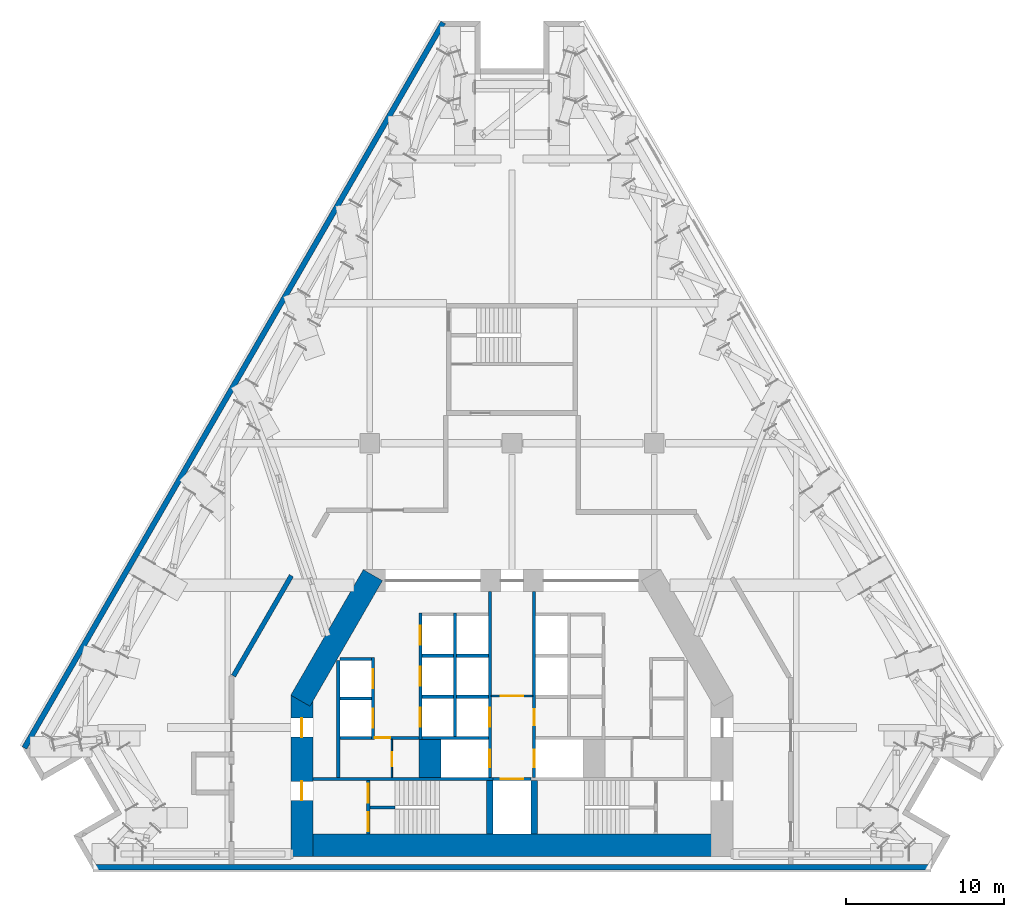
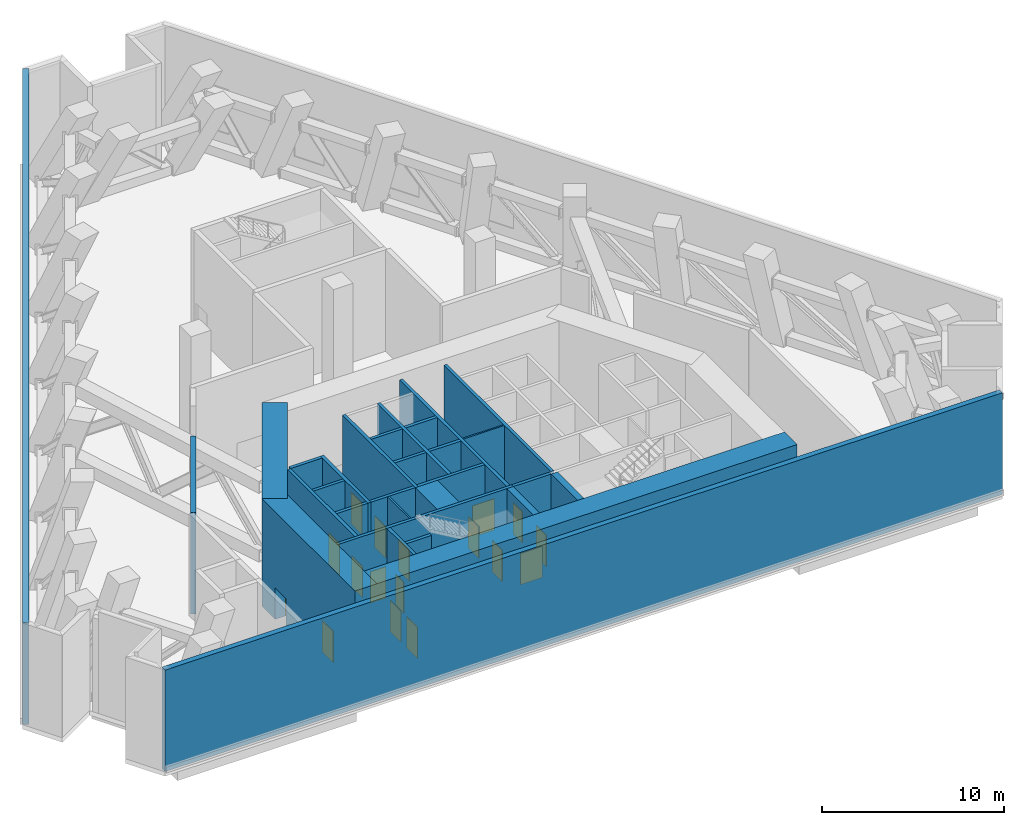
# One storey, part 6 of 12: 30 walls, 17 doors, 17 openings.
"""IFC4 building model written with IfcOpenShell, lengths in metres."""

from ifc_helpers import new_model, si_unit, direction, frame, frame_2d, origin, place, context, subcontext, project, spatial, rectangle, extrude, material, layer, layer_set, type_object, element, fill, save


model = new_model("IFC4")

# Units and contexts
model_context = context("Model", 3, precision=1e-05, world=origin(), true_north=direction((0.0, 1.0)))
body_context = subcontext(model_context, "Body", "Model", "MODEL_VIEW")
ifc_project = project(units=[si_unit("LENGTHUNIT", "METRE"), si_unit("AREAUNIT", "SQUARE_METRE"), si_unit("VOLUMEUNIT", "CUBIC_METRE"), si_unit("PLANEANGLEUNIT", "RADIAN"), si_unit("MASSUNIT", "GRAM", prefix="KILO")], contexts=[model_context])

# Site, building, storey
site_placement = place(None, origin())
site = spatial("IfcSite", under=ifc_project, at=site_placement, CompositionType="ELEMENT")
building_placement = place(site_placement, origin())
building = spatial("IfcBuilding", under=site, at=building_placement, Name="Fogline Exchange Tower", CompositionType="ELEMENT")
storey_placement = place(building_placement, frame((0.0, 0.0, 88.89990234375)))
storey = spatial("IfcBuildingStorey", under=building, at=storey_placement, Name="L19", CompositionType="ELEMENT", Elevation=88.89990234375)

# Wall, opening, door
ifc_material_1 = material(Name="Blockwork partition", Category="masonry")
ifc_layer_1 = layer(ifc_material_1, 0.10009765625)
ifc_layer_set_1 = layer_set([ifc_layer_1], Name="CW10")
wall_type_1 = type_object("IfcWallType", Name="CW10", PredefinedType="PARTITIONING", material=ifc_layer_set_1)
wall_1_placement = place(storey_placement, frame((-7.60009765625, 5.85009765625, 0.0), z_axis=(0.0, 0.0, 1.0), x_axis=(0.0, 1.0, 0.0)))
wall_1 = element("IfcWall", 1, at=wall_1_placement, inside=storey, type_object=wall_type_1, Name="WC partition", PredefinedType="PARTITIONING", context=body_context, shape_type="SweptSolid", body=[
    extrude(rectangle(XDim=2.39990234375, YDim=0.10009765625, at=frame_2d((1.199951171875, 0.0))), origin(), (0.0, 0.0, 1.0), 6.800048828125),
])
opening_1_placement = place(wall_1_placement, frame((0.699951171875, 0.0, 0.0)))
opening_1 = element("IfcOpeningElement", 2, at=opening_1_placement, cuts=wall_1, Name="Opening L19-C008", PredefinedType="OPENING", context=body_context, shape_type="SweptSolid", body=[
    extrude(rectangle(XDim=0.89990234375, YDim=2.10009765625, at=frame_2d((0.449951171875, 1.050048828125))), frame((0.0, 0.06005859375, 0.0), z_axis=(0.0, -1.0, 0.0), x_axis=(1.0, 0.0, 0.0)), (0.0, 0.0, 1.0), 0.1201171875),
])
ifc_material_2 = material(Name="Steel and timber fire door", Category="steel")
door_type_1 = type_object("IfcDoorType", Name="D-CS1", OperationType="SINGLE_SWING_RIGHT", PredefinedType="DOOR", material=ifc_material_2)
door_1_placement = place(opening_1_placement, frame((0.89990234375, 0.0, 0.0), z_axis=(0.0, 0.0, 1.0), x_axis=(-1.0, 0.0, 0.0)))
door_1 = element("IfcDoor", 3, at=door_1_placement, inside=storey, type_object=door_type_1, Name="Door to Plumbing Plant Room", OperationType="SINGLE_SWING_RIGHT", OverallHeight=2.10009765625, OverallWidth=0.89990234375, PredefinedType="DOOR", context=body_context, shape_type="SweptSolid", body=[
    extrude(rectangle(XDim=0.89990234375, YDim=2.10009765625, at=frame_2d((0.449951171875, 1.050048828125))), frame((0.0, 0.02490234375, 0.0), z_axis=(0.0, -1.0, 0.0), x_axis=(1.0, 0.0, 0.0)), (0.0, 0.0, 1.0), 0.050048828125),
])
fill(opening_1, door_1)

wall_2_placement = place(storey_placement, frame((-1.300048828125, 11.0, 0.0), z_axis=(0.0, 0.0, 1.0), x_axis=(1.0, 0.0, 0.0)))
wall_2 = element("IfcWall", 4, at=wall_2_placement, inside=storey, type_object=wall_type_1, Name="Lift lobby partition", PredefinedType="PARTITIONING", context=body_context, shape_type="SweptSolid", body=[
    extrude(rectangle(XDim=2.60009765625, YDim=0.10009765625, at=frame_2d((1.300048828125, 0.0))), origin(), (0.0, 0.0, 1.0), 6.800048828125),
])
opening_2_placement = place(wall_2_placement, frame((0.60009765625, 0.0, 0.0)))
opening_2 = element("IfcOpeningElement", 5, at=opening_2_placement, cuts=wall_2, Name="Opening L19-C017", PredefinedType="OPENING", context=body_context, shape_type="SweptSolid", body=[
    extrude(rectangle(XDim=1.39990234375, YDim=2.10009765625, at=frame_2d((0.699951171875, 1.050048828125))), frame((0.0, 0.06005859375, 0.0), z_axis=(0.0, -1.0, 0.0), x_axis=(1.0, 0.0, 0.0)), (0.0, 0.0, 1.0), 0.1201171875),
])
door_type_2 = type_object("IfcDoorType", Name="D-LB1", OperationType="DOUBLE_DOOR_SINGLE_SWING", PredefinedType="DOOR", material=ifc_material_2)
door_2_placement = place(opening_2_placement, frame((1.39990234375, 0.0, 0.0), z_axis=(0.0, 0.0, 1.0), x_axis=(-1.0, 0.0, 0.0)))
door_2 = element("IfcDoor", 6, at=door_2_placement, inside=storey, type_object=door_type_2, Name="Door to firefighting lift lobby", OperationType="DOUBLE_DOOR_SINGLE_SWING", OverallHeight=2.10009765625, OverallWidth=1.39990234375, PredefinedType="DOOR", context=body_context, shape_type="SweptSolid", body=[
    extrude(rectangle(XDim=1.39990234375, YDim=2.10009765625, at=frame_2d((0.699951171875, 1.050048828125))), frame((0.0, 0.02490234375, 0.0), z_axis=(0.0, -1.0, 0.0), x_axis=(1.0, 0.0, 0.0)), (0.0, 0.0, 1.0), 0.050048828125),
])
fill(opening_2, door_2)

# Walls
ifc_material_3 = material(Name="Concrete C60", Category="concrete")
ifc_layer_2 = layer(ifc_material_3, 1.39990234375)
ifc_layer_set_2 = layer_set([ifc_layer_2], Name="CW140")
wall_type_2 = type_object("IfcWallType", Name="CW140", PredefinedType="SOLIDWALL", material=ifc_layer_set_2)
wall_3_placement = place(storey_placement, frame((-5.199951171875, 5.85009765625, -0.2998046875), z_axis=(0.0, 0.0, 1.0), x_axis=(0.0, 1.0, 0.0)))
element("IfcWall", 7, at=wall_3_placement, inside=storey, type_object=wall_type_2, Name="Lift shaft block wall", PredefinedType="SOLIDWALL", context=body_context, shape_type="SweptSolid", body=[
    extrude(rectangle(XDim=2.39990234375, YDim=1.39990234375, at=frame_2d((1.199951171875, 0.0))), origin(), (0.0, 0.0, 1.0), 7.099853515625),
])
ifc_material_4 = material(Name="Concrete C40", Category="concrete")
ifc_layer_3 = layer(ifc_material_4, 0.199951171875)
ifc_layer_set_3 = layer_set([ifc_layer_3], Name="CW20")
wall_type_3 = type_object("IfcWallType", Name="CW20", PredefinedType="SOLIDWALL", material=ifc_layer_set_3)
wall_4_placement = place(storey_placement, frame((-11.0, 5.85009765625, 0.0), z_axis=(0.0, 0.0, 1.0), x_axis=(0.0, 1.0, 0.0)))
element("IfcWall", 8, at=wall_4_placement, inside=storey, type_object=wall_type_3, Name="Service room wall", PredefinedType="SOLIDWALL", context=body_context, shape_type="SweptSolid", body=[
    extrude(rectangle(XDim=7.39990234375, YDim=0.199951171875, at=frame_2d((3.699951171875, 0.0))), origin(), (0.0, 0.0, 1.0), 6.800048828125),
])

# Wall, opening, door
wall_5_placement = place(storey_placement, frame((-8.699951171875, 8.35009765625, 0.0), z_axis=(0.0, 0.0, 1.0), x_axis=(1.0, 0.0, 0.0)))
wall_5 = element("IfcWall", 9, at=wall_5_placement, inside=storey, type_object=wall_type_3, Name="WC wall", PredefinedType="SOLIDWALL", context=body_context, shape_type="SweptSolid", body=[
    extrude(rectangle(XDim=2.800048828125, YDim=0.199951171875, at=frame_2d((1.39990234375, 0.0))), origin(), (0.0, 0.0, 1.0), 6.800048828125),
])
opening_3_placement = place(wall_5_placement, origin())
opening_3 = element("IfcOpeningElement", 10, at=opening_3_placement, cuts=wall_5, Name="Opening L19-C007", PredefinedType="OPENING", context=body_context, shape_type="SweptSolid", body=[
    extrude(rectangle(XDim=1.0, YDim=2.10009765625, at=frame_2d((0.5, 1.050048828125))), frame((0.0, 0.10986328125, 0.0), z_axis=(0.0, -1.0, 0.0), x_axis=(1.0, 0.0, 0.0)), (0.0, 0.0, 1.0), 0.219970703125),
])
door_type_3 = type_object("IfcDoorType", Name="D-WC1", OperationType="SINGLE_SWING_LEFT", PredefinedType="DOOR", material=ifc_material_2)
door_3_placement = place(opening_3_placement, frame((1.0, 0.0, 0.0), z_axis=(0.0, 0.0, 1.0), x_axis=(-1.0, 0.0, 0.0)))
door_3 = element("IfcDoor", 11, at=door_3_placement, inside=storey, type_object=door_type_3, Name="Door to Men's WC", OperationType="SINGLE_SWING_LEFT", OverallHeight=2.10009765625, OverallWidth=1.0, PredefinedType="DOOR", context=body_context, shape_type="SweptSolid", body=[
    extrude(rectangle(XDim=1.0, YDim=2.10009765625, at=frame_2d((0.5, 1.050048828125))), frame((0.0, 0.02490234375, 0.0), z_axis=(0.0, -1.0, 0.0), x_axis=(1.0, 0.0, 0.0)), (0.0, 0.0, 1.0), 0.050048828125),
])
fill(opening_3, door_3)

# Walls
ifc_layer_4 = layer(ifc_material_4, 0.199951171875)
ifc_layer_set_4 = layer_set([ifc_layer_4], Name="CW20B")
wall_type_4 = type_object("IfcWallType", Name="CW20B", PredefinedType="SOLIDWALL", material=ifc_layer_set_4)
wall_6_placement = place(storey_placement, frame((-9.0, 3.949951171875, 0.0), z_axis=(0.0, 0.0, 1.0), x_axis=(1.0, 0.0, 0.0)))
element("IfcWall", 12, at=wall_6_placement, inside=storey, type_object=wall_type_4, Name="Stair separation wall", PredefinedType="SOLIDWALL", context=body_context, shape_type="SweptSolid", body=[
    extrude(rectangle(XDim=1.60009765625, YDim=0.199951171875, at=frame_2d((0.800048828125, 0.0))), origin(), (0.0, 0.0, 1.0), 6.800048828125),
])
ifc_layer_5 = layer(ifc_material_4, 0.199951171875)
ifc_layer_set_5 = layer_set([ifc_layer_5], Name="CW20R")
wall_type_5 = type_object("IfcWallType", Name="CW20R", PredefinedType="SOLIDWALL", material=ifc_layer_set_5)
wall_7_placement = place(storey_placement, frame((-12.60009765625, 5.75, -0.2998046875), z_axis=(0.0, 0.0, 1.0), x_axis=(1.0, 0.0, 0.0)))
element("IfcWall", 13, at=wall_7_placement, inside=storey, type_object=wall_type_5, Name="Stair enclosure wall", PredefinedType="SOLIDWALL", context=body_context, shape_type="SweptSolid", body=[
    extrude(rectangle(XDim=11.400146484375, YDim=0.199951171875, at=frame_2d((5.7001953125, 0.0))), origin(), (0.0, 0.0, 1.0), 7.099853515625),
])

# Wall, opening, door
wall_8_placement = place(storey_placement, frame((-1.199951171875, 5.75, -0.2998046875), z_axis=(0.0, 0.0, 1.0), x_axis=(1.0, 0.0, 0.0)))
wall_8 = element("IfcWall", 14, at=wall_8_placement, inside=storey, type_object=wall_type_5, Name="Stair enclosure wall", PredefinedType="SOLIDWALL", context=body_context, shape_type="SweptSolid", body=[
    extrude(rectangle(XDim=2.39990234375, YDim=0.199951171875, at=frame_2d((1.199951171875, 0.0))), origin(), (0.0, 0.0, 1.0), 7.099853515625),
])
opening_4_placement = place(wall_8_placement, frame((0.5, 0.0, 0.300048828125)))
opening_4 = element("IfcOpeningElement", 15, at=opening_4_placement, cuts=wall_8, Name="Opening L19-LD09", PredefinedType="OPENING", context=body_context, shape_type="SweptSolid", body=[
    extrude(rectangle(XDim=1.39990234375, YDim=2.10009765625, at=frame_2d((0.699951171875, 1.050048828125))), frame((0.0, 0.10986328125, 0.0), z_axis=(0.0, -1.0, 0.0), x_axis=(1.0, 0.0, 0.0)), (0.0, 0.0, 1.0), 0.219970703125),
])
door_type_4 = type_object("IfcDoorType", Name="LD3", OperationType="SLIDING_TO_LEFT", PredefinedType="DOOR", material=ifc_material_2)
door_4_placement = place(opening_4_placement, origin())
door_4 = element("IfcDoor", 16, at=door_4_placement, inside=storey, type_object=door_type_4, Name="Landing door GL1", OperationType="SLIDING_TO_LEFT", OverallHeight=2.10009765625, OverallWidth=1.39990234375, PredefinedType="DOOR", context=body_context, shape_type="SweptSolid", body=[
    extrude(rectangle(XDim=1.39990234375, YDim=2.10009765625, at=frame_2d((0.699951171875, 1.050048828125))), frame((0.0, 0.02490234375, 0.0), z_axis=(0.0, -1.0, 0.0), x_axis=(1.0, 0.0, 0.0)), (0.0, 0.0, 1.0), 0.050048828125),
])
fill(opening_4, door_4)

# Wall, openings, doors
wall_9_placement = place(storey_placement, frame((-9.10009765625, 2.25, -0.2998046875), z_axis=(0.0, 0.0, 1.0), x_axis=(0.0, 1.0, 0.0)))
wall_9 = element("IfcWall", 17, at=wall_9_placement, inside=storey, type_object=wall_type_5, Name="Stair enclosure wall", PredefinedType="SOLIDWALL", context=body_context, shape_type="SweptSolid", body=[
    extrude(rectangle(XDim=3.39990234375, YDim=0.199951171875, at=frame_2d((1.699951171875, 0.0))), origin(), (0.0, 0.0, 1.0), 7.099853515625),
])
opening_5_placement = place(wall_9_placement, frame((0.199951171875, 0.0, 0.300048828125)))
opening_5 = element("IfcOpeningElement", 18, at=opening_5_placement, cuts=wall_9, Name="Opening L19-C010", PredefinedType="OPENING", context=body_context, shape_type="SweptSolid", body=[
    extrude(rectangle(XDim=1.199951171875, YDim=2.10009765625, at=frame_2d((0.60009765625, 1.050048828125))), frame((0.0, 0.10986328125, 0.0), z_axis=(0.0, -1.0, 0.0), x_axis=(1.0, 0.0, 0.0)), (0.0, 0.0, 1.0), 0.219970703125),
])
opening_6_placement = place(wall_9_placement, frame((2.0, 0.0, 0.300048828125)))
opening_6 = element("IfcOpeningElement", 19, at=opening_6_placement, cuts=wall_9, Name="Opening L19-C021", PredefinedType="OPENING", context=body_context, shape_type="SweptSolid", body=[
    extrude(rectangle(XDim=1.199951171875, YDim=2.10009765625, at=frame_2d((0.60009765625, 1.050048828125))), frame((0.0, 0.10986328125, 0.0), z_axis=(0.0, -1.0, 0.0), x_axis=(1.0, 0.0, 0.0)), (0.0, 0.0, 1.0), 0.219970703125),
])
door_type_5 = type_object("IfcDoorType", Name="D-ST1", OperationType="SINGLE_SWING_LEFT", PredefinedType="DOOR", material=ifc_material_2)
door_5_placement = place(opening_5_placement, frame((1.199951171875, 0.0, 0.0), z_axis=(0.0, 0.0, 1.0), x_axis=(-1.0, 0.0, 0.0)))
door_5 = element("IfcDoor", 20, at=door_5_placement, inside=storey, type_object=door_type_5, Name="Stair door ST1", OperationType="SINGLE_SWING_RIGHT", OverallHeight=2.10009765625, OverallWidth=1.199951171875, PredefinedType="DOOR", context=body_context, shape_type="SweptSolid", body=[
    extrude(rectangle(XDim=1.199951171875, YDim=2.10009765625, at=frame_2d((0.60009765625, 1.050048828125))), frame((0.0, 0.02490234375, 0.0), z_axis=(0.0, -1.0, 0.0), x_axis=(1.0, 0.0, 0.0)), (0.0, 0.0, 1.0), 0.050048828125),
])
fill(opening_5, door_5)
door_6_placement = place(opening_6_placement, origin())
door_6 = element("IfcDoor", 21, at=door_6_placement, inside=storey, type_object=door_type_5, Name="Stair arrival door ST1", OperationType="SINGLE_SWING_RIGHT", OverallHeight=2.10009765625, OverallWidth=1.199951171875, PredefinedType="DOOR", context=body_context, shape_type="SweptSolid", body=[
    extrude(rectangle(XDim=1.199951171875, YDim=2.10009765625, at=frame_2d((0.60009765625, 1.050048828125))), frame((0.0, 0.02490234375, 0.0), z_axis=(0.0, -1.0, 0.0), x_axis=(1.0, 0.0, 0.0)), (0.0, 0.0, 1.0), 0.050048828125),
])
fill(opening_6, door_6)

ifc_layer_6 = layer(ifc_material_4, 0.199951171875)
ifc_layer_set_6 = layer_set([ifc_layer_6], Name="CW20S")
wall_type_6 = type_object("IfcWallType", Name="CW20S", PredefinedType="SOLIDWALL", material=ifc_layer_set_6)
wall_10_placement = place(storey_placement, frame((-8.800048828125, 8.25, -0.2998046875), z_axis=(0.0, 0.0, 1.0), x_axis=(0.0, 1.0, 0.0)))
wall_10 = element("IfcWall", 22, at=wall_10_placement, inside=storey, type_object=wall_type_6, Name="Lift shaft wall", PredefinedType="SOLIDWALL", context=body_context, shape_type="SweptSolid", body=[
    extrude(rectangle(XDim=5.199951171875, YDim=0.199951171875, at=frame_2d((2.60009765625, 0.0))), origin(), (0.0, 0.0, 1.0), 7.099853515625),
])
opening_7_placement = place(wall_10_placement, frame((0.75, 0.0, 0.300048828125)))
opening_7 = element("IfcOpeningElement", 23, at=opening_7_placement, cuts=wall_10, Name="Opening L19-LD01", PredefinedType="OPENING", context=body_context, shape_type="SweptSolid", body=[
    extrude(rectangle(XDim=1.199951171875, YDim=2.10009765625, at=frame_2d((0.60009765625, 1.050048828125))), frame((0.0, 0.10986328125, 0.0), z_axis=(0.0, -1.0, 0.0), x_axis=(1.0, 0.0, 0.0)), (0.0, 0.0, 1.0), 0.219970703125),
])
opening_8_placement = place(wall_10_placement, frame((3.25, 0.0, 0.300048828125)))
opening_8 = element("IfcOpeningElement", 24, at=opening_8_placement, cuts=wall_10, Name="Opening L19-LD02", PredefinedType="OPENING", context=body_context, shape_type="SweptSolid", body=[
    extrude(rectangle(XDim=1.199951171875, YDim=2.10009765625, at=frame_2d((0.60009765625, 1.050048828125))), frame((0.0, 0.10986328125, 0.0), z_axis=(0.0, -1.0, 0.0), x_axis=(1.0, 0.0, 0.0)), (0.0, 0.0, 1.0), 0.219970703125),
])
door_type_6 = type_object("IfcDoorType", Name="LD1", OperationType="SLIDING_TO_LEFT", PredefinedType="DOOR", material=ifc_material_2)
door_7_placement = place(opening_7_placement, origin())
door_7 = element("IfcDoor", 25, at=door_7_placement, inside=storey, type_object=door_type_6, Name="Landing door LR1", OperationType="SLIDING_TO_LEFT", OverallHeight=2.10009765625, OverallWidth=1.199951171875, PredefinedType="DOOR", context=body_context, shape_type="SweptSolid", body=[
    extrude(rectangle(XDim=1.199951171875, YDim=2.10009765625, at=frame_2d((0.60009765625, 1.050048828125))), frame((0.0, 0.02490234375, 0.0), z_axis=(0.0, -1.0, 0.0), x_axis=(1.0, 0.0, 0.0)), (0.0, 0.0, 1.0), 0.050048828125),
])
fill(opening_7, door_7)
door_8_placement = place(opening_8_placement, origin())
door_8 = element("IfcDoor", 26, at=door_8_placement, inside=storey, type_object=door_type_6, Name="Landing door LR2", OperationType="SLIDING_TO_LEFT", OverallHeight=2.10009765625, OverallWidth=1.199951171875, PredefinedType="DOOR", context=body_context, shape_type="SweptSolid", body=[
    extrude(rectangle(XDim=1.199951171875, YDim=2.10009765625, at=frame_2d((0.60009765625, 1.050048828125))), frame((0.0, 0.02490234375, 0.0), z_axis=(0.0, -1.0, 0.0), x_axis=(1.0, 0.0, 0.0)), (0.0, 0.0, 1.0), 0.050048828125),
])
fill(opening_8, door_8)

wall_11_placement = place(storey_placement, frame((-5.800048828125, 8.25, -0.2998046875), z_axis=(0.0, 0.0, 1.0), x_axis=(0.0, 1.0, 0.0)))
wall_11 = element("IfcWall", 27, at=wall_11_placement, inside=storey, type_object=wall_type_6, Name="Lift shaft wall", PredefinedType="SOLIDWALL", context=body_context, shape_type="SweptSolid", body=[
    extrude(rectangle(XDim=8.0, YDim=0.199951171875, at=frame_2d((4.0, 0.0))), origin(), (0.0, 0.0, 1.0), 7.099853515625),
])
opening_9_placement = place(wall_11_placement, frame((0.800048828125, 0.0, 0.300048828125)))
opening_9 = element("IfcOpeningElement", 28, at=opening_9_placement, cuts=wall_11, Name="Opening L19-LD03", PredefinedType="OPENING", context=body_context, shape_type="SweptSolid", body=[
    extrude(rectangle(XDim=1.199951171875, YDim=2.10009765625, at=frame_2d((0.60009765625, 1.050048828125))), frame((0.0, 0.10986328125, 0.0), z_axis=(0.0, -1.0, 0.0), x_axis=(1.0, 0.0, 0.0)), (0.0, 0.0, 1.0), 0.219970703125),
])
opening_10_placement = place(wall_11_placement, frame((3.39990234375, 0.0, 0.300048828125)))
opening_10 = element("IfcOpeningElement", 29, at=opening_10_placement, cuts=wall_11, Name="Opening L19-LD04", PredefinedType="OPENING", context=body_context, shape_type="SweptSolid", body=[
    extrude(rectangle(XDim=1.199951171875, YDim=2.10009765625, at=frame_2d((0.60009765625, 1.050048828125))), frame((0.0, 0.10986328125, 0.0), z_axis=(0.0, -1.0, 0.0), x_axis=(1.0, 0.0, 0.0)), (0.0, 0.0, 1.0), 0.219970703125),
])
opening_11_placement = place(wall_11_placement, frame((6.0, 0.0, 0.300048828125)))
opening_11 = element("IfcOpeningElement", 30, at=opening_11_placement, cuts=wall_11, Name="Opening L19-LD05", PredefinedType="OPENING", context=body_context, shape_type="SweptSolid", body=[
    extrude(rectangle(XDim=1.199951171875, YDim=2.10009765625, at=frame_2d((0.60009765625, 1.050048828125))), frame((0.0, 0.10986328125, 0.0), z_axis=(0.0, -1.0, 0.0), x_axis=(1.0, 0.0, 0.0)), (0.0, 0.0, 1.0), 0.219970703125),
])
door_9_placement = place(opening_9_placement, origin())
door_9 = element("IfcDoor", 31, at=door_9_placement, inside=storey, type_object=door_type_6, Name="Landing door LR3", OperationType="SLIDING_TO_LEFT", OverallHeight=2.10009765625, OverallWidth=1.199951171875, PredefinedType="DOOR", context=body_context, shape_type="SweptSolid", body=[
    extrude(rectangle(XDim=1.199951171875, YDim=2.10009765625, at=frame_2d((0.60009765625, 1.050048828125))), frame((0.0, 0.02490234375, 0.0), z_axis=(0.0, -1.0, 0.0), x_axis=(1.0, 0.0, 0.0)), (0.0, 0.0, 1.0), 0.050048828125),
])
fill(opening_9, door_9)
door_10_placement = place(opening_10_placement, origin())
door_10 = element("IfcDoor", 32, at=door_10_placement, inside=storey, type_object=door_type_6, Name="Landing door LR4", OperationType="SLIDING_TO_LEFT", OverallHeight=2.10009765625, OverallWidth=1.199951171875, PredefinedType="DOOR", context=body_context, shape_type="SweptSolid", body=[
    extrude(rectangle(XDim=1.199951171875, YDim=2.10009765625, at=frame_2d((0.60009765625, 1.050048828125))), frame((0.0, 0.02490234375, 0.0), z_axis=(0.0, -1.0, 0.0), x_axis=(1.0, 0.0, 0.0)), (0.0, 0.0, 1.0), 0.050048828125),
])
fill(opening_10, door_10)
door_11_placement = place(opening_11_placement, origin())
door_11 = element("IfcDoor", 33, at=door_11_placement, inside=storey, type_object=door_type_6, Name="Landing door LR5", OperationType="SLIDING_TO_LEFT", OverallHeight=2.10009765625, OverallWidth=1.199951171875, PredefinedType="DOOR", context=body_context, shape_type="SweptSolid", body=[
    extrude(rectangle(XDim=1.199951171875, YDim=2.10009765625, at=frame_2d((0.60009765625, 1.050048828125))), frame((0.0, 0.02490234375, 0.0), z_axis=(0.0, -1.0, 0.0), x_axis=(1.0, 0.0, 0.0)), (0.0, 0.0, 1.0), 0.050048828125),
])
fill(opening_11, door_11)

# Wall
wall_12_placement = place(storey_placement, frame((-3.60009765625, 8.449951171875, -0.2998046875), z_axis=(0.0, 0.0, 1.0), x_axis=(0.0, 1.0, 0.0)))
element("IfcWall", 34, at=wall_12_placement, inside=storey, type_object=wall_type_6, Name="Lift shaft wall", PredefinedType="SOLIDWALL", context=body_context, shape_type="SweptSolid", body=[
    extrude(rectangle(XDim=7.800048828125, YDim=0.199951171875, at=frame_2d((3.89990234375, 0.0))), origin(), (0.0, 0.0, 1.0), 7.099853515625),
])

# Wall, openings, doors
wall_13_placement = place(storey_placement, frame((-1.39990234375, 5.85009765625, -0.2998046875), z_axis=(0.0, 0.0, 1.0), x_axis=(0.0, 1.0, 0.0)))
wall_13 = element("IfcWall", 35, at=wall_13_placement, inside=storey, type_object=wall_type_6, Name="Lift lobby wall", PredefinedType="SOLIDWALL", context=body_context, shape_type="SweptSolid", body=[
    extrude(rectangle(XDim=11.75, YDim=0.199951171875, at=frame_2d((5.875, 0.0))), origin(), (0.0, 0.0, 1.0), 7.099853515625),
])
opening_12_placement = place(wall_13_placement, frame((3.199951171875, 0.0, 0.300048828125)))
opening_12 = element("IfcOpeningElement", 36, at=opening_12_placement, cuts=wall_13, Name="Opening L19-LD06", PredefinedType="OPENING", context=body_context, shape_type="SweptSolid", body=[
    extrude(rectangle(XDim=1.199951171875, YDim=2.10009765625, at=frame_2d((0.60009765625, 1.050048828125))), frame((0.0, 0.10986328125, 0.0), z_axis=(0.0, -1.0, 0.0), x_axis=(1.0, 0.0, 0.0)), (0.0, 0.0, 1.0), 0.219970703125),
])
opening_13_placement = place(wall_13_placement, frame((0.64990234375, 0.0, 0.300048828125)))
opening_13 = element("IfcOpeningElement", 37, at=opening_13_placement, cuts=wall_13, Name="Opening L19-LD07", PredefinedType="OPENING", context=body_context, shape_type="SweptSolid", body=[
    extrude(rectangle(XDim=1.10009765625, YDim=2.10009765625, at=frame_2d((0.550048828125, 1.050048828125))), frame((0.0, 0.10986328125, 0.0), z_axis=(0.0, -1.0, 0.0), x_axis=(1.0, 0.0, 0.0)), (0.0, 0.0, 1.0), 0.219970703125),
])
door_12_placement = place(opening_12_placement, origin())
door_12 = element("IfcDoor", 38, at=door_12_placement, inside=storey, type_object=door_type_6, Name="Landing door LR6", OperationType="SLIDING_TO_LEFT", OverallHeight=2.10009765625, OverallWidth=1.199951171875, PredefinedType="DOOR", context=body_context, shape_type="SweptSolid", body=[
    extrude(rectangle(XDim=1.199951171875, YDim=2.10009765625, at=frame_2d((0.60009765625, 1.050048828125))), frame((0.0, 0.02490234375, 0.0), z_axis=(0.0, -1.0, 0.0), x_axis=(1.0, 0.0, 0.0)), (0.0, 0.0, 1.0), 0.050048828125),
])
fill(opening_12, door_12)
door_type_7 = type_object("IfcDoorType", Name="LD2", OperationType="SLIDING_TO_RIGHT", PredefinedType="DOOR", material=ifc_material_2)
door_13_placement = place(opening_13_placement, origin())
door_13 = element("IfcDoor", 39, at=door_13_placement, inside=storey, type_object=door_type_7, Name="Landing door FF1", OperationType="SLIDING_TO_RIGHT", OverallHeight=2.10009765625, OverallWidth=1.10009765625, PredefinedType="DOOR", context=body_context, shape_type="SweptSolid", body=[
    extrude(rectangle(XDim=1.10009765625, YDim=2.10009765625, at=frame_2d((0.550048828125, 1.050048828125))), frame((0.0, 0.02490234375, 0.0), z_axis=(0.0, -1.0, 0.0), x_axis=(1.0, 0.0, 0.0)), (0.0, 0.0, 1.0), 0.050048828125),
])
fill(opening_13, door_13)

wall_14_placement = place(storey_placement, frame((1.39990234375, 5.85009765625, -0.2998046875), z_axis=(0.0, 0.0, 1.0), x_axis=(0.0, 1.0, 0.0)))
wall_14 = element("IfcWall", 40, at=wall_14_placement, inside=storey, type_object=wall_type_6, Name="Lift lobby wall", PredefinedType="SOLIDWALL", context=body_context, shape_type="SweptSolid", body=[
    extrude(rectangle(XDim=11.75, YDim=0.199951171875, at=frame_2d((5.875, 0.0))), origin(), (0.0, 0.0, 1.0), 7.099853515625),
])
opening_14_placement = place(wall_14_placement, frame((0.64990234375, 0.0, 0.300048828125)))
opening_14 = element("IfcOpeningElement", 41, at=opening_14_placement, cuts=wall_14, Name="Opening L19-LD08", PredefinedType="OPENING", context=body_context, shape_type="SweptSolid", body=[
    extrude(rectangle(XDim=1.10009765625, YDim=2.10009765625, at=frame_2d((0.550048828125, 1.050048828125))), frame((0.0, 0.10986328125, 0.0), z_axis=(0.0, -1.0, 0.0), x_axis=(1.0, 0.0, 0.0)), (0.0, 0.0, 1.0), 0.219970703125),
])
opening_15_placement = place(wall_14_placement, frame((3.300048828125, 0.0, 0.300048828125)))
opening_15 = element("IfcOpeningElement", 42, at=opening_15_placement, cuts=wall_14, Name="Opening L19-C006", PredefinedType="OPENING", context=body_context, shape_type="SweptSolid", body=[
    extrude(rectangle(XDim=1.0, YDim=2.10009765625, at=frame_2d((0.5, 1.050048828125))), frame((0.0, 0.10986328125, 0.0), z_axis=(0.0, -1.0, 0.0), x_axis=(1.0, 0.0, 0.0)), (0.0, 0.0, 1.0), 0.219970703125),
])
door_type_8 = type_object("IfcDoorType", Name="D-RM1", OperationType="SINGLE_SWING_LEFT", PredefinedType="DOOR", material=ifc_material_2)
door_14_placement = place(opening_15_placement, frame((1.0, 0.0, 0.0), z_axis=(0.0, 0.0, 1.0), x_axis=(-1.0, 0.0, 0.0)))
door_14 = element("IfcDoor", 43, at=door_14_placement, inside=storey, type_object=door_type_8, Name="Door to Mechanical Room", OperationType="SINGLE_SWING_RIGHT", OverallHeight=2.10009765625, OverallWidth=1.0, PredefinedType="DOOR", context=body_context, shape_type="SweptSolid", body=[
    extrude(rectangle(XDim=1.0, YDim=2.10009765625, at=frame_2d((0.5, 1.050048828125))), frame((0.0, 0.02490234375, 0.0), z_axis=(0.0, -1.0, 0.0), x_axis=(1.0, 0.0, 0.0)), (0.0, 0.0, 1.0), 0.050048828125),
])
fill(opening_15, door_14)
door_15_placement = place(opening_14_placement, origin())
door_15 = element("IfcDoor", 44, at=door_15_placement, inside=storey, type_object=door_type_7, Name="Landing door FF2", OperationType="SLIDING_TO_RIGHT", OverallHeight=2.10009765625, OverallWidth=1.10009765625, PredefinedType="DOOR", context=body_context, shape_type="SweptSolid", body=[
    extrude(rectangle(XDim=1.10009765625, YDim=2.10009765625, at=frame_2d((0.550048828125, 1.050048828125))), frame((0.0, 0.02490234375, 0.0), z_axis=(0.0, -1.0, 0.0), x_axis=(1.0, 0.0, 0.0)), (0.0, 0.0, 1.0), 0.050048828125),
])
fill(opening_14, door_15)

# Walls
wall_15_placement = place(storey_placement, frame((-10.89990234375, 8.35009765625, -0.2998046875), z_axis=(0.0, 0.0, 1.0), x_axis=(1.0, 0.0, 0.0)))
element("IfcWall", 45, at=wall_15_placement, inside=storey, type_object=wall_type_6, Name="Lift shaft wall", PredefinedType="SOLIDWALL", context=body_context, shape_type="SweptSolid", body=[
    extrude(rectangle(XDim=2.0, YDim=0.199951171875, at=frame_2d((1.0, 0.0))), origin(), (0.0, 0.0, 1.0), 7.099853515625),
])
wall_16_placement = place(storey_placement, frame((-5.699951171875, 8.35009765625, -0.2998046875), z_axis=(0.0, 0.0, 1.0), x_axis=(1.0, 0.0, 0.0)))
element("IfcWall", 46, at=wall_16_placement, inside=storey, type_object=wall_type_6, Name="Lift shaft wall", PredefinedType="SOLIDWALL", context=body_context, shape_type="SweptSolid", body=[
    extrude(rectangle(XDim=4.199951171875, YDim=0.199951171875, at=frame_2d((2.10009765625, 0.0))), origin(), (0.0, 0.0, 1.0), 7.099853515625),
])
for number, where, z_axis, x_axis, name in (
    (47, (-10.89990234375, 10.85009765625, -0.2998046875), (0.0, 0.0, 1.0), (1.0, 0.0, 0.0), "Lift shaft wall"),
    (48, (-10.89990234375, 13.35009765625, -0.2998046875), (0.0, 0.0, 1.0), (1.0, 0.0, 0.0), "Lift shaft wall"),
    (49, (-5.699951171875, 10.949951171875, -0.2998046875), (0.0, 0.0, 1.0), (1.0, 0.0, 0.0), "Lift shaft wall"),
    (50, (-5.699951171875, 13.550048828125, -0.2998046875), (0.0, 0.0, 1.0), (1.0, 0.0, 0.0), "Lift shaft wall"),
    (51, (-3.5, 10.949951171875, -0.2998046875), (0.0, 0.0, 1.0), (1.0, 0.0, 0.0), "Lift shaft wall"),
    (52, (-3.5, 13.550048828125, -0.2998046875), (0.0, 0.0, 1.0), (1.0, 0.0, 0.0), "Lift shaft wall"),
):
    element("IfcWall", number, at=place(storey_placement, frame(where, z_axis=z_axis, x_axis=x_axis)), inside=storey, type_object=wall_type_6, Name=name, PredefinedType="SOLIDWALL", context=body_context, shape_type="SweptSolid", body=[
        extrude(rectangle(XDim=2.0, YDim=0.199951171875, at=frame_2d((1.0, 0.0))), origin(), (0.0, 0.0, 1.0), 7.099853515625),
    ])
ifc_layer_7 = layer(ifc_material_4, 0.39990234375)
ifc_layer_set_7 = layer_set([ifc_layer_7], Name="CW40R")
wall_type_7 = type_object("IfcWallType", Name="CW40R", PredefinedType="SOLIDWALL", material=ifc_layer_set_7)
for number, where, z_axis, x_axis, name in (
    (53, (-1.39990234375, 2.25, -0.2998046875), (0.0, 0.0, 1.0), (0.0, 1.0, 0.0), "Stair and lift shaft wall"),
    (54, (1.39990234375, 2.25, -0.2998046875), (0.0, 0.0, 1.0), (0.0, 1.0, 0.0), "Stair and lift shaft wall"),
):
    element("IfcWall", number, at=place(storey_placement, frame(where, z_axis=z_axis, x_axis=x_axis)), inside=storey, type_object=wall_type_7, Name=name, PredefinedType="SOLIDWALL", context=body_context, shape_type="SweptSolid", body=[
        extrude(rectangle(XDim=3.39990234375, YDim=0.39990234375, at=frame_2d((1.699951171875, 0.0))), origin(), (0.0, 0.0, 1.0), 7.099853515625),
    ])
ifc_material_5 = material(Name="Brick masonry", Category="masonry")
ifc_layer_8 = layer(ifc_material_5, 0.340087890625)
ifc_layer_set_8 = layer_set([ifc_layer_8], Name="FW3")
wall_type_8 = type_object("IfcWallType", Name="FW3", PredefinedType="SOLIDWALL", material=ifc_layer_set_8)
for number, where, z_axis, x_axis, name in (
    (55, (-26.510498046875, 0.169921875, 0.0), (0.0, 0.0, 1.0), (1.0, 0.0, 0.0), "Brick wall L19 S"),
    (56, (-4.352783203125, 53.626708984375, 0.0), (0.0, 0.0, 1.0), (-0.500000400847, -0.866025172355, 0.0), "Brick wall L19 W"),
):
    element("IfcWall", number, at=place(storey_placement, frame(where, z_axis=z_axis, x_axis=x_axis)), inside=storey, type_object=wall_type_8, Name=name, PredefinedType="SOLIDWALL", context=body_context, shape_type="SweptSolid", body=[
        extrude(rectangle(XDim=53.02099609375, YDim=0.340087890625, at=frame_2d((26.510498046875, 0.0))), origin(), (0.0, 0.0, 1.0), 6.800048828125),
    ])
ifc_layer_9 = layer(ifc_material_4, 0.300048828125)
ifc_layer_set_9 = layer_set([ifc_layer_9], Name="PP4")
wall_type_9 = type_object("IfcWallType", Name="PP4", PredefinedType="SOLIDWALL", material=ifc_layer_set_9)
wall_17_placement = place(storey_placement, frame((-17.626220703125, 12.27197265625, 0.0), z_axis=(0.0, 0.0, 1.0), x_axis=(0.500013828931, 0.8660174195, 0.0)))
element("IfcWall", 57, at=wall_17_placement, inside=storey, type_object=wall_type_9, Name="PP4 partition", PredefinedType="SOLIDWALL", context=body_context, shape_type="SweptSolid", body=[
    extrude(rectangle(XDim=7.325439453125, YDim=0.300048828125, at=frame_2d((3.66259765625, 0.0))), origin(), (0.0, 0.0, 1.0), 6.800048828125),
])
ifc_layer_10 = layer(ifc_material_3, 1.39990234375)
ifc_layer_set_10 = layer_set([ifc_layer_10], Name="SW01")
wall_type_10 = type_object("IfcWallType", Name="SW01", PredefinedType="SHEAR", material=ifc_layer_set_10)
wall_18_placement = place(storey_placement, frame((-14.0, 1.550048828125, 0.0), z_axis=(0.0, 0.0, 1.0), x_axis=(1.0, 0.0, 0.0)))
element("IfcWall", 58, at=wall_18_placement, inside=storey, type_object=wall_type_10, Name="L19-W901", PredefinedType="SHEAR", context=body_context, shape_type="SweptSolid", body=[
    extrude(rectangle(XDim=28.0, YDim=1.39990234375, at=frame_2d((14.0, 0.0))), origin(), (0.0, 0.0, 1.0), 7.2001953125),
])
wall_19_placement = place(storey_placement, frame((-8.805419921875, 18.64990234375, 0.0), z_axis=(0.0, 0.0, 1.0), x_axis=(-0.50000187635, -0.866024320471, 0.0)))
element("IfcWall", 59, at=wall_19_placement, inside=storey, type_object=wall_type_10, Name="L19-W905", PredefinedType="SHEAR", context=body_context, shape_type="SweptSolid", body=[
    extrude(rectangle(XDim=9.1767578125, YDim=1.39990234375, at=frame_2d((4.58837890625, 0.0))), origin(), (0.0, 0.0, 1.0), 7.2001953125),
])

# Wall, openings, doors
wall_20_placement = place(storey_placement, frame((-13.300048828125, 11.052490234375, 0.0), z_axis=(0.0, 0.0, 1.0), x_axis=(0.0, -1.0, 0.0)))
wall_20 = element("IfcWall", 60, at=wall_20_placement, inside=storey, type_object=wall_type_10, Name="L19-W906", PredefinedType="SHEAR", context=body_context, shape_type="SweptSolid", body=[
    extrude(rectangle(XDim=10.202392578125, YDim=1.39990234375, at=frame_2d((5.10107421875, 0.0))), origin(), (0.0, 0.0, 1.0), 7.2001953125),
])
opening_16_placement = place(wall_20_placement, frame((5.45263671875, 0.0, 0.0)))
opening_16 = element("IfcOpeningElement", 61, at=opening_16_placement, cuts=wall_20, Name="Opening L19-C009", PredefinedType="OPENING", context=body_context, shape_type="SweptSolid", body=[
    extrude(rectangle(XDim=1.199951171875, YDim=2.10009765625, at=frame_2d((0.60009765625, 1.050048828125))), frame((0.0, 0.7099609375, 0.0), z_axis=(0.0, -1.0, 0.0), x_axis=(1.0, 0.0, 0.0)), (0.0, 0.0, 1.0), 1.419921875),
])
opening_17_placement = place(wall_20_placement, frame((1.45263671875, 0.0, 0.0)))
opening_17 = element("IfcOpeningElement", 62, at=opening_17_placement, cuts=wall_20, Name="Opening L19-C011", PredefinedType="OPENING", context=body_context, shape_type="SweptSolid", body=[
    extrude(rectangle(XDim=1.199951171875, YDim=2.10009765625, at=frame_2d((0.60009765625, 1.050048828125))), frame((0.0, 0.7099609375, 0.0), z_axis=(0.0, -1.0, 0.0), x_axis=(1.0, 0.0, 0.0)), (0.0, 0.0, 1.0), 1.419921875),
])
door_type_9 = type_object("IfcDoorType", Name="D-FR1", OperationType="SINGLE_SWING_RIGHT", PredefinedType="DOOR", material=ifc_material_2)
door_16_placement = place(opening_16_placement, origin())
door_16 = element("IfcDoor", 63, at=door_16_placement, inside=storey, type_object=door_type_9, Name="Front room door ST1", OperationType="SINGLE_SWING_LEFT", OverallHeight=2.10009765625, OverallWidth=1.199951171875, PredefinedType="DOOR", context=body_context, shape_type="SweptSolid", body=[
    extrude(rectangle(XDim=1.199951171875, YDim=2.10009765625, at=frame_2d((0.60009765625, 1.050048828125))), frame((0.0, 0.02490234375, 0.0), z_axis=(0.0, -1.0, 0.0), x_axis=(1.0, 0.0, 0.0)), (0.0, 0.0, 1.0), 0.050048828125),
])
fill(opening_16, door_16)
door_type_10 = type_object("IfcDoorType", Name="D-SV1", OperationType="SINGLE_SWING_LEFT", PredefinedType="DOOR", material=ifc_material_2)
door_17_placement = place(opening_17_placement, origin())
door_17 = element("IfcDoor", 64, at=door_17_placement, inside=storey, type_object=door_type_10, Name="Service door W", OperationType="SINGLE_SWING_LEFT", OverallHeight=2.10009765625, OverallWidth=1.199951171875, PredefinedType="DOOR", context=body_context, shape_type="SweptSolid", body=[
    extrude(rectangle(XDim=1.199951171875, YDim=2.10009765625, at=frame_2d((0.60009765625, 1.050048828125))), frame((0.0, 0.02490234375, 0.0), z_axis=(0.0, -1.0, 0.0), x_axis=(1.0, 0.0, 0.0)), (0.0, 0.0, 1.0), 0.050048828125),
])
fill(opening_17, door_17)

save(model, "model.ifc")
